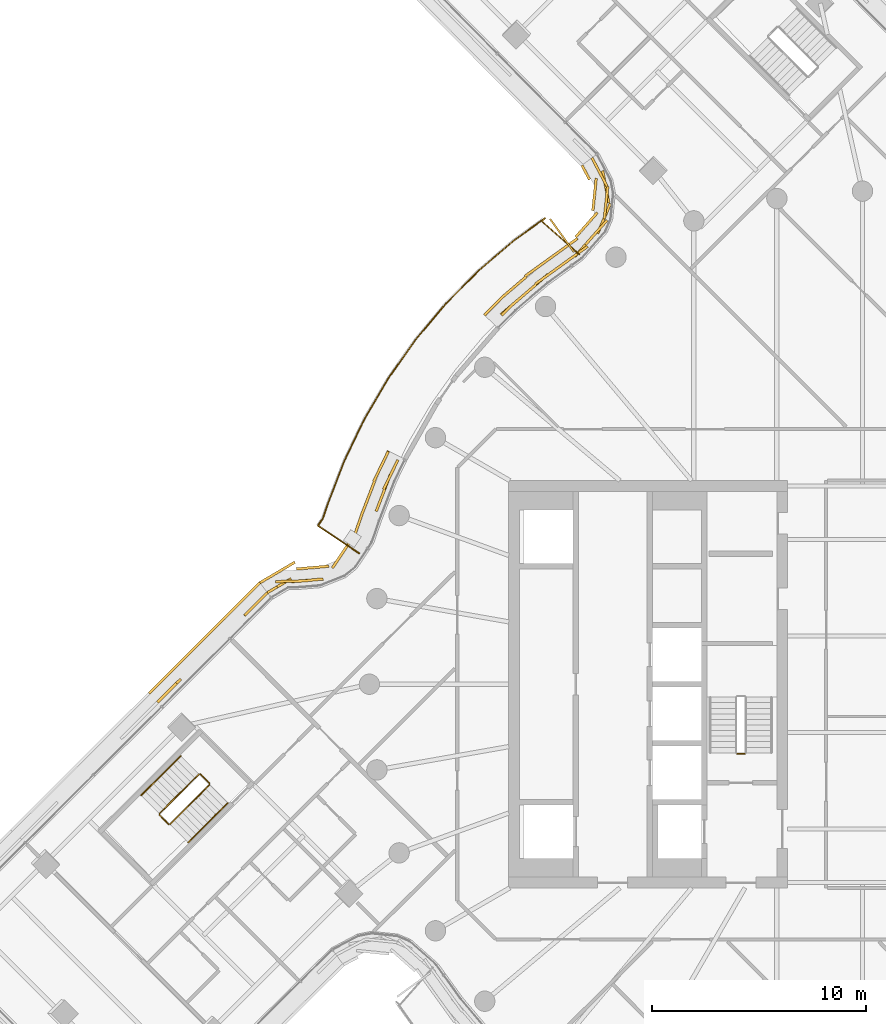
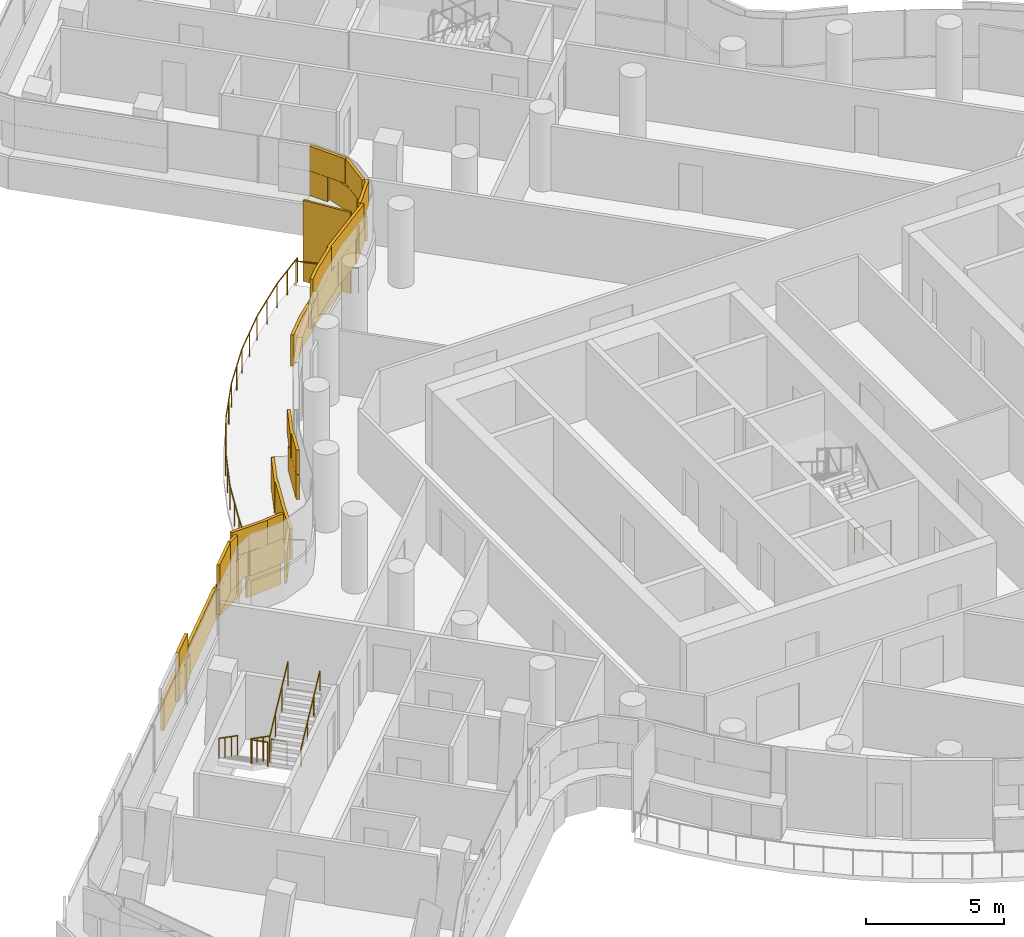
# One storey, part 27 of 31: 8 railings, 3 coverings, 1 shading device.
"""IFC4 building model written with IfcOpenShell, lengths in metres."""

from ifc_helpers import new_model, si_unit, direction, frame, origin, origin_2d, place, context, subcontext, project, spatial, rectangle, circle, extrude, material, layer, layer_set, type_object, element, save


model = new_model("IFC4")

# Units and contexts
model_context = context("Model", 3, precision=1e-05, world=origin(), true_north=direction((0.0, 1.0)))
body_context = subcontext(model_context, "Body", "Model", "MODEL_VIEW")
ifc_project = project(units=[si_unit("LENGTHUNIT", "METRE"), si_unit("AREAUNIT", "SQUARE_METRE"), si_unit("VOLUMEUNIT", "CUBIC_METRE"), si_unit("PLANEANGLEUNIT", "RADIAN"), si_unit("MASSUNIT", "GRAM", prefix="KILO")], contexts=[model_context])

# Site, building, storey
site_placement = place(None, origin())
site = spatial("IfcSite", under=ifc_project, at=site_placement, CompositionType="ELEMENT")
building_placement = place(site_placement, origin())
building = spatial("IfcBuilding", under=site, at=building_placement, Name="Tamarind Cross Interchange Tower", CompositionType="ELEMENT")
storey_placement = place(building_placement, frame((0.0, 0.0, 196.89990234375)))
storey = spatial("IfcBuildingStorey", under=building, at=storey_placement, Name="L49", CompositionType="ELEMENT", Elevation=196.89990234375)

# Railing
ifc_material_1 = material(Name="Stainless steel and laminated glass", Category="steel")
railing_type_1 = type_object("IfcRailingType", Name="Balcony guard", PredefinedType="BALUSTRADE", material=ifc_material_1)
railing_1_placement = place(storey_placement, frame((-13.2080078125, 20.047119140625, 0.0)))
element("IfcRailing", 1, at=railing_1_placement, inside=storey, type_object=railing_type_1, Name="Balcony guard 06", PredefinedType="BALUSTRADE", context=body_context, shape_type="SweptSolid", body=[
    extrude(circle(Radius=0.02490234375, at=origin_2d()), frame((0.0, 0.0, 1.0751953125), z_axis=(-0.748638917809, 0.662977956452, 0.0), x_axis=(-0.662977956452, -0.748638917809, 0.0)), (0.0, 0.0, 1.0), 2.320068359375),
    extrude(circle(Radius=0.02490234375, at=origin_2d()), frame((-1.73681640625, 1.5380859375, 1.0751953125), z_axis=(0.662774567608, 0.748818985157, 0.0), x_axis=(-0.748818985157, 0.662774567608, 0.0)), (0.0, 0.0, 1.0), 0.2099609375),
    extrude(circle(Radius=0.02490234375, at=origin_2d()), frame((-1.59765625, 1.6953125, 1.0751953125), z_axis=(-0.811324196085, -0.584596483779, 0.0), x_axis=(0.584596483779, -0.811324196085, 0.0)), (0.0, 0.0, 1.0), 1.785400390625),
    extrude(circle(Radius=0.02490234375, at=origin_2d()), frame((-3.046142578125, 0.651611328125, 1.0751953125), z_axis=(-0.760277812684, -0.649598066146, 0.0), x_axis=(0.649598066146, -0.760277812684, 0.0)), (0.0, 0.0, 1.0), 2.175048828125),
    extrude(circle(Radius=0.02490234375, at=origin_2d()), frame((-4.69970703125, -0.76123046875, 1.0751953125), z_axis=(-0.704069857635, -0.710130717242, 0.0), x_axis=(0.710130717242, -0.704069857635, 0.0)), (0.0, 0.0, 1.0), 2.17529296875),
    extrude(circle(Radius=0.02490234375, at=origin_2d()), frame((-6.231201171875, -2.305908203125, 1.0751953125), z_axis=(-0.642984125922, -0.765879503455, 0.0), x_axis=(0.765879503455, -0.642984125922, 0.0)), (0.0, 0.0, 1.0), 2.17529296875),
    extrude(circle(Radius=0.02490234375, at=origin_2d()), frame((-7.6298828125, -3.971923828125, 1.0751953125), z_axis=(-0.577590617379, -0.81632657602, 0.0), x_axis=(0.81632657602, -0.577590617379, 0.0)), (0.0, 0.0, 1.0), 2.175048828125),
    extrude(circle(Radius=0.02490234375, at=origin_2d()), frame((-8.88623046875, -5.74755859375, 1.0751953125), z_axis=(-0.508226290333, -0.861223570169, 0.0), x_axis=(0.861223570169, -0.508226290333, 0.0)), (0.0, 0.0, 1.0), 2.175048828125),
    extrude(circle(Radius=0.02490234375, at=origin_2d()), frame((-9.99169921875, -7.620849609375, 1.0751953125), z_axis=(-0.435276325285, -0.90029690694, 0.0), x_axis=(0.90029690694, -0.435276325285, 0.0)), (0.0, 0.0, 1.0), 2.175048828125),
    extrude(circle(Radius=0.02490234375, at=origin_2d()), frame((-10.9384765625, -9.5791015625, 1.0751953125), z_axis=(-0.359511290045, -0.933140735543, 0.0), x_axis=(0.933140735543, -0.359511290045, 0.0)), (0.0, 0.0, 1.0), 2.120849609375),
    extrude(circle(Radius=0.02490234375, at=origin_2d()), frame((-11.700927734375, -11.55810546875, 1.0751953125), z_axis=(-0.325905323568, -0.945402411711, 0.0), x_axis=(0.945402411711, -0.325905323568, 0.0)), (0.0, 0.0, 1.0), 0.793212890625),
    extrude(circle(Radius=0.02490234375, at=origin_2d()), frame((-11.95947265625, -12.30810546875, 1.0751953125), z_axis=(-0.556591623042, -0.83078623313, 0.0), x_axis=(0.83078623313, -0.556591623042, 0.0)), (0.0, 0.0, 1.0), 0.416748046875),
    extrude(circle(Radius=0.02490234375, at=origin_2d()), frame((-12.19140625, -12.654296875, 1.0751953125), z_axis=(0.830720338953, -0.556689966184, 0.0), x_axis=(0.556689966184, 0.830720338953, 0.0)), (0.0, 0.0, 1.0), 2.320068359375),
    extrude(circle(Radius=0.02001953125, at=origin_2d()), origin(), (0.0, 0.0, 1.0), 1.050048828125),
    extrude(circle(Radius=0.02001953125, at=origin_2d()), frame((-0.868408203125, 0.76904296875, 0.0)), (0.0, 0.0, 1.0), 1.050048828125),
    extrude(circle(Radius=0.02001953125, at=origin_2d()), frame((-1.73681640625, 1.5380859375, 0.0)), (0.0, 0.0, 1.0), 1.050048828125),
    extrude(circle(Radius=0.02001953125, at=origin_2d()), frame((-1.59765625, 1.6953125, 0.0)), (0.0, 0.0, 1.0), 1.050048828125),
    extrude(circle(Radius=0.02001953125, at=origin_2d()), frame((-2.32177734375, 1.17333984375, 0.0)), (0.0, 0.0, 1.0), 1.050048828125),
    extrude(circle(Radius=0.02001953125, at=origin_2d()), frame((-3.046142578125, 0.651611328125, 0.0)), (0.0, 0.0, 1.0), 1.050048828125),
    extrude(circle(Radius=0.02001953125, at=origin_2d()), frame((-3.873046875, -0.0546875, 0.0)), (0.0, 0.0, 1.0), 1.050048828125),
    extrude(circle(Radius=0.02001953125, at=origin_2d()), frame((-4.69970703125, -0.76123046875, 0.0)), (0.0, 0.0, 1.0), 1.050048828125),
    extrude(circle(Radius=0.02001953125, at=origin_2d()), frame((-5.46533203125, -1.53369140625, 0.0)), (0.0, 0.0, 1.0), 1.050048828125),
    extrude(circle(Radius=0.02001953125, at=origin_2d()), frame((-6.231201171875, -2.305908203125, 0.0)), (0.0, 0.0, 1.0), 1.050048828125),
    extrude(circle(Radius=0.02001953125, at=origin_2d()), frame((-6.9306640625, -3.138916015625, 0.0)), (0.0, 0.0, 1.0), 1.050048828125),
    extrude(circle(Radius=0.02001953125, at=origin_2d()), frame((-7.6298828125, -3.971923828125, 0.0)), (0.0, 0.0, 1.0), 1.050048828125),
    extrude(circle(Radius=0.02001953125, at=origin_2d()), frame((-8.258056640625, -4.85986328125, 0.0)), (0.0, 0.0, 1.0), 1.050048828125),
    extrude(circle(Radius=0.02001953125, at=origin_2d()), frame((-8.88623046875, -5.74755859375, 0.0)), (0.0, 0.0, 1.0), 1.050048828125),
    extrude(circle(Radius=0.02001953125, at=origin_2d()), frame((-9.43896484375, -6.68408203125, 0.0)), (0.0, 0.0, 1.0), 1.050048828125),
    extrude(circle(Radius=0.02001953125, at=origin_2d()), frame((-9.99169921875, -7.620849609375, 0.0)), (0.0, 0.0, 1.0), 1.050048828125),
    extrude(circle(Radius=0.02001953125, at=origin_2d()), frame((-10.465087890625, -8.60009765625, 0.0)), (0.0, 0.0, 1.0), 1.050048828125),
    extrude(circle(Radius=0.02001953125, at=origin_2d()), frame((-10.9384765625, -9.5791015625, 0.0)), (0.0, 0.0, 1.0), 1.050048828125),
    extrude(circle(Radius=0.02001953125, at=origin_2d()), frame((-11.31982421875, -10.568603515625, 0.0)), (0.0, 0.0, 1.0), 1.050048828125),
    extrude(circle(Radius=0.02001953125, at=origin_2d()), frame((-11.700927734375, -11.55810546875, 0.0)), (0.0, 0.0, 1.0), 1.050048828125),
    extrude(circle(Radius=0.02001953125, at=origin_2d()), frame((-11.95947265625, -12.30810546875, 0.0)), (0.0, 0.0, 1.0), 1.050048828125),
    extrude(circle(Radius=0.02001953125, at=origin_2d()), frame((-12.19140625, -12.654296875, 0.0)), (0.0, 0.0, 1.0), 1.050048828125),
    extrude(circle(Radius=0.02001953125, at=origin_2d()), frame((-11.227783203125, -13.300048828125, 0.0)), (0.0, 0.0, 1.0), 1.050048828125),
    extrude(circle(Radius=0.02001953125, at=origin_2d()), frame((-10.26416015625, -13.94580078125, 0.0)), (0.0, 0.0, 1.0), 1.050048828125),
])

# Shading device
ifc_material_2 = material(Name="Bronze-finish aluminium louvre", Category="aluminium")
ifc_layer_1 = layer(ifc_material_2, 0.080078125)
ifc_layer_set_1 = layer_set([ifc_layer_1], Name="Bronze-finish aluminium louvre")
shading_device_type = type_object("IfcShadingDeviceType", Name="Operable louvre bay", PredefinedType="JALOUSIE", material=ifc_layer_set_1)
shading_device_placement = place(storey_placement, origin())
element("IfcShadingDevice", 2, at=shading_device_placement, inside=storey, type_object=shading_device_type, Name="LVR-L49-BAL06", PredefinedType="JALOUSIE", context=body_context, shape_type="SweptSolid", body=[
    extrude(rectangle(XDim=1.89990234375, YDim=0.080078125, at=origin_2d()), frame((-14.01611328125, 20.930908203125, 0.0), z_axis=(0.0, 0.0, 1.0), x_axis=(-0.584638009293, 0.811294273423, 0.0)), (0.0, 0.0, 1.0), 3.60009765625),
])

# Railings
ifc_material_3 = material(Name="Stair guard")
railing_type_2 = type_object("IfcRailingType", Name="Stair guard", PredefinedType="GUARDRAIL", material=ifc_material_3)
railing_2_placement = place(storey_placement, frame((-5.5, -3.25, 0.0)))
element("IfcRailing", 3, at=railing_2_placement, inside=storey, type_object=railing_type_2, Name="L49 ST1 stair guard 4", PredefinedType="GUARDRAIL", context=body_context, shape_type="SweptSolid", body=[
    extrude(circle(Radius=0.02392578125, at=origin_2d()), frame((0.0, 0.0, 1.076171875), z_axis=(-1.0, 0.0, 0.0), x_axis=(0.0, -1.0, 0.0)), (0.0, 0.0, 1.0), 0.35009765625),
    extrude(circle(Radius=0.02099609375, at=origin_2d()), origin(), (0.0, 0.0, 1.0), 1.052001953125),
    extrude(circle(Radius=0.02099609375, at=origin_2d()), frame((-0.35009765625, 0.0, 0.0)), (0.0, 0.0, 1.0), 1.052001953125),
])
railing_3_placement = place(storey_placement, frame((-30.9501953125, -4.19580078125, 0.163818359375)))
element("IfcRailing", 4, at=railing_3_placement, inside=storey, type_object=railing_type_2, Name="L49 ST5 stair guard 1", PredefinedType="GUARDRAIL", context=body_context, shape_type="SweptSolid", body=[
    extrude(circle(Radius=0.02392578125, at=origin_2d()), frame((0.0, 0.0, 1.076171875), z_axis=(-0.599217470128, -0.59770750568, 0.532620090822), x_axis=(0.70621417827, -0.707998258763, 0.0)), (0.0, 0.0, 1.0), 3.072021484375),
    extrude(circle(Radius=0.02099609375, at=origin_2d()), origin(), (0.0, 0.0, 1.0), 1.052001953125),
    extrude(circle(Radius=0.02099609375, at=origin_2d()), frame((-0.613525390625, -0.612060546875, 0.54541015625)), (0.0, 0.0, 1.0), 1.052001953125),
    extrude(circle(Radius=0.02099609375, at=origin_2d()), frame((-1.227294921875, -1.22412109375, 1.0908203125)), (0.0, 0.0, 1.0), 1.052001953125),
    extrude(circle(Radius=0.02099609375, at=origin_2d()), frame((-1.8408203125, -1.836181640625, 1.63623046875)), (0.0, 0.0, 1.0), 1.052001953125),
])
railing_4_placement = place(storey_placement, frame((-32.791259765625, -6.1025390625, 1.800048828125)))
element("IfcRailing", 5, at=railing_4_placement, inside=storey, type_object=railing_type_2, Name="L49 ST5 stair guard 2", PredefinedType="GUARDRAIL", context=body_context, shape_type="SweptSolid", body=[
    extrude(circle(Radius=0.02392578125, at=origin_2d()), frame((0.0, 0.0, 1.076171875), z_axis=(0.706292611839, -0.70792001417, 0.0), x_axis=(0.70792001417, 0.706292611839, 0.0)), (0.0, 0.0, 1.0), 0.60009765625),
    extrude(circle(Radius=0.02099609375, at=origin_2d()), origin(), (0.0, 0.0, 1.0), 1.052001953125),
    extrude(circle(Radius=0.02099609375, at=origin_2d()), frame((0.423828125, -0.4248046875, 0.0)), (0.0, 0.0, 1.0), 1.052001953125),
])
railing_5_placement = place(storey_placement, frame((-32.296875, -6.527587890625, 1.963623046875)))
element("IfcRailing", 6, at=railing_5_placement, inside=storey, type_object=railing_type_2, Name="L49 ST5 stair guard 3", PredefinedType="GUARDRAIL", context=body_context, shape_type="SweptSolid", body=[
    extrude(circle(Radius=0.02392578125, at=origin_2d()), frame((0.0, 0.0, 1.076171875), z_axis=(0.599192105999, 0.597682205466, 0.532677014126), x_axis=(-0.70621417827, 0.707998258763, 0.0)), (0.0, 0.0, 1.0), 3.072265625),
    extrude(circle(Radius=0.02099609375, at=origin_2d()), origin(), (0.0, 0.0, 1.0), 1.052001953125),
    extrude(circle(Radius=0.02099609375, at=origin_2d()), frame((0.613525390625, 0.612060546875, 0.54541015625)), (0.0, 0.0, 1.0), 1.052001953125),
    extrude(circle(Radius=0.02099609375, at=origin_2d()), frame((1.227294921875, 1.22412109375, 1.091064453125)), (0.0, 0.0, 1.0), 1.052001953125),
    extrude(circle(Radius=0.02099609375, at=origin_2d()), frame((1.8408203125, 1.836181640625, 1.636474609375)), (0.0, 0.0, 1.0), 1.052001953125),
])
railing_6_placement = place(storey_placement, frame((-30.879638671875, -4.19580078125, 0.0)))
element("IfcRailing", 7, at=railing_6_placement, inside=storey, type_object=railing_type_2, Name="L49 ST5 stair guard 4", PredefinedType="GUARDRAIL", context=body_context, shape_type="SweptSolid", body=[
    extrude(circle(Radius=0.02392578125, at=origin_2d()), frame((0.0, 0.0, 1.076171875), z_axis=(0.706292611839, -0.70792001417, 0.0), x_axis=(0.70792001417, 0.706292611839, 0.0)), (0.0, 0.0, 1.0), 0.60009765625),
    extrude(circle(Radius=0.02099609375, at=origin_2d()), origin(), (0.0, 0.0, 1.0), 1.052001953125),
    extrude(circle(Radius=0.02099609375, at=origin_2d()), frame((0.423828125, -0.4248046875, 0.0)), (0.0, 0.0, 1.0), 1.052001953125),
])
ifc_material_4 = material(Name="Stair handrail")
railing_type_3 = type_object("IfcRailingType", Name="Stair handrail", PredefinedType="HANDRAIL", material=ifc_material_4)
railing_7_placement = place(storey_placement, frame((-31.7978515625, -3.34619140625, 0.163818359375)))
element("IfcRailing", 8, at=railing_7_placement, inside=storey, type_object=railing_type_3, Name="L49 ST5 stair handrail 1", PredefinedType="HANDRAIL", context=body_context, shape_type="SweptSolid", body=[
    extrude(circle(Radius=0.02392578125, at=origin_2d()), frame((0.0, 0.0, 0.8759765625), z_axis=(-0.599217470128, -0.59770750568, 0.532620090822), x_axis=(0.70621417827, -0.707998258763, 0.0)), (0.0, 0.0, 1.0), 3.072021484375),
    extrude(circle(Radius=0.02099609375, at=origin_2d()), origin(), (0.0, 0.0, 1.0), 0.851806640625),
    extrude(circle(Radius=0.02099609375, at=origin_2d()), frame((-0.613525390625, -0.612060546875, 0.54541015625)), (0.0, 0.0, 1.0), 0.851806640625),
    extrude(circle(Radius=0.02099609375, at=origin_2d()), frame((-1.227294921875, -1.22412109375, 1.0908203125)), (0.0, 0.0, 1.0), 0.851806640625),
    extrude(circle(Radius=0.02099609375, at=origin_2d()), frame((-1.8408203125, -1.836181640625, 1.63623046875)), (0.0, 0.0, 1.0), 0.851806640625),
])
railing_8_placement = place(storey_placement, frame((-31.449462890625, -7.377197265625, 1.963623046875)))
element("IfcRailing", 9, at=railing_8_placement, inside=storey, type_object=railing_type_3, Name="L49 ST5 stair handrail 2", PredefinedType="HANDRAIL", context=body_context, shape_type="SweptSolid", body=[
    extrude(circle(Radius=0.02392578125, at=origin_2d()), frame((0.0, 0.0, 0.8759765625), z_axis=(0.599192105999, 0.597682205466, 0.532677014126), x_axis=(-0.70621417827, 0.707998258763, 0.0)), (0.0, 0.0, 1.0), 3.072265625),
    extrude(circle(Radius=0.02099609375, at=origin_2d()), origin(), (0.0, 0.0, 1.0), 0.851806640625),
    extrude(circle(Radius=0.02099609375, at=origin_2d()), frame((0.613525390625, 0.612060546875, 0.54541015625)), (0.0, 0.0, 1.0), 0.851806640625),
    extrude(circle(Radius=0.02099609375, at=origin_2d()), frame((1.227294921875, 1.22412109375, 1.091064453125)), (0.0, 0.0, 1.0), 0.851806640625),
    extrude(circle(Radius=0.02099609375, at=origin_2d()), frame((1.8408203125, 1.836181640625, 1.636474609375)), (0.0, 0.0, 1.0), 0.851806640625),
])

# Coverings
ifc_material_5 = material(Name="Terracotta", Category="masonry")
ifc_layer_2 = layer(ifc_material_5, 0.1201171875)
ifc_layer_set_2 = layer_set([ifc_layer_2], Name="Terracotta")
covering_type = type_object("IfcCoveringType", Name="Terracotta baguette screen unit", PredefinedType="MOLDING", material=ifc_layer_set_2)
covering_1_placement = place(storey_placement, origin())
element("IfcCovering", 10, at=covering_1_placement, inside=storey, type_object=covering_type, Name="SCR-L49-06-00", PredefinedType="MOLDING", context=body_context, shape_type="SweptSolid", body=[
    extrude(rectangle(XDim=0.760009765625, YDim=0.1201171875, at=origin_2d()), frame((-12.4443359375, 24.220703125, 1.404296875), z_axis=(0.0, 0.0, 1.0), x_axis=(0.468931842788, -0.883234355548, 0.0)), (0.0, 0.0, 1.0), 1.092041015625),
    extrude(rectangle(XDim=1.52001953125, YDim=0.1201171875, at=origin_2d()), frame((-11.978759765625, 23.205078125, 1.404296875), z_axis=(0.0, 0.0, 1.0), x_axis=(0.190870071313, -0.981615309516, 0.0)), (0.0, 0.0, 1.0), 1.092041015625),
    extrude(rectangle(XDim=1.52001953125, YDim=0.1201171875, at=origin_2d()), frame((-12.0546875, 21.72119140625, 1.404296875), z_axis=(0.0, 0.0, 1.0), x_axis=(-0.389433748572, -0.921054480187, 0.0)), (0.0, 0.0, 1.0), 1.092041015625),
    extrude(rectangle(XDim=1.52001953125, YDim=0.1201171875, at=origin_2d()), frame((-12.915283203125, 20.513671875, 1.404296875), z_axis=(0.0, 0.0, 1.0), x_axis=(-0.662981274254, -0.748635979625, 0.0)), (0.0, 0.0, 1.0), 1.092041015625),
    extrude(rectangle(XDim=1.52001953125, YDim=0.1201171875, at=origin_2d()), frame((-14.0458984375, 19.541259765625, 1.404296875), z_axis=(0.0, 0.0, 1.0), x_axis=(-0.811294273423, -0.584638009293, 0.0)), (0.0, 0.0, 1.0), 1.092041015625),
    extrude(rectangle(XDim=1.52001953125, YDim=0.1201171875, at=origin_2d()), frame((-15.238525390625, 18.63330078125, 1.404296875), z_axis=(0.0, 0.0, 1.0), x_axis=(-0.760295606781, -0.64957723968, 0.0)), (0.0, 0.0, 1.0), 1.092041015625),
    extrude(rectangle(XDim=1.403564453125, YDim=0.1201171875, at=origin_2d()), frame((-16.33837890625, 17.693603515625, 1.404296875), z_axis=(0.0, 0.0, 1.0), x_axis=(-0.760295606781, -0.64957723968, 0.0)), (0.0, 0.0, 1.0), 1.092041015625),
    extrude(rectangle(XDim=1.510009765625, YDim=0.1201171875, at=origin_2d()), frame((-12.2685546875, 23.889404296875, 2.50390625), z_axis=(0.0, 0.0, 1.0), x_axis=(0.468931842788, -0.883234355548, 0.0)), (0.0, 0.0, 1.0), 1.092041015625),
    extrude(rectangle(XDim=1.52001953125, YDim=0.1201171875, at=origin_2d()), frame((-11.962158203125, 22.46337890625, 2.50390625), z_axis=(0.0, 0.0, 1.0), x_axis=(-0.10379685446, -0.994598518501, 0.0)), (0.0, 0.0, 1.0), 1.092041015625),
    extrude(rectangle(XDim=1.52001953125, YDim=0.1201171875, at=origin_2d()), frame((-12.41796875, 21.0751953125, 2.50390625), z_axis=(0.0, 0.0, 1.0), x_axis=(-0.662981274254, -0.748635979625, 0.0)), (0.0, 0.0, 1.0), 1.092041015625),
    extrude(rectangle(XDim=1.52001953125, YDim=0.1201171875, at=origin_2d()), frame((-13.4375, 19.979736328125, 2.50390625), z_axis=(0.0, 0.0, 1.0), x_axis=(-0.811294273423, -0.584638009293, 0.0)), (0.0, 0.0, 1.0), 1.092041015625),
    extrude(rectangle(XDim=1.52001953125, YDim=0.1201171875, at=origin_2d()), frame((-14.654296875, 19.102783203125, 2.50390625), z_axis=(0.0, 0.0, 1.0), x_axis=(-0.811294273423, -0.584638009293, 0.0)), (0.0, 0.0, 1.0), 1.092041015625),
    extrude(rectangle(XDim=1.52001953125, YDim=0.1201171875, at=origin_2d()), frame((-15.80859375, 18.146240234375, 2.50390625), z_axis=(0.0, 0.0, 1.0), x_axis=(-0.760295606781, -0.64957723968, 0.0)), (0.0, 0.0, 1.0), 1.092041015625),
    extrude(rectangle(XDim=0.653564453125, YDim=0.1201171875, at=origin_2d()), frame((-16.606201171875, 17.431396484375, 2.50390625), z_axis=(0.0, 0.0, 1.0), x_axis=(-0.704057148523, -0.710143317658, 0.0)), (0.0, 0.0, 1.0), 1.092041015625),
    extrude(rectangle(XDim=0.760009765625, YDim=0.1201171875, at=origin_2d()), frame((-12.909423828125, 23.87255859375, 0.004150390625), z_axis=(0.0, 0.0, 1.0), x_axis=(0.468931842788, -0.883234355548, 0.0)), (0.0, 0.0, 1.0), 1.39208984375),
    extrude(rectangle(XDim=1.52001953125, YDim=0.1201171875, at=origin_2d()), frame((-12.49951171875, 22.84423828125, 0.004150390625), z_axis=(0.0, 0.0, 1.0), x_axis=(-0.10379685446, -0.994598518501, 0.0)), (0.0, 0.0, 1.0), 1.39208984375),
    extrude(rectangle(XDim=1.52001953125, YDim=0.1201171875, at=origin_2d()), frame((-12.87158203125, 21.4287109375, 0.004150390625), z_axis=(0.0, 0.0, 1.0), x_axis=(-0.662981274254, -0.748635979625, 0.0)), (0.0, 0.0, 1.0), 1.39208984375),
    extrude(rectangle(XDim=1.52001953125, YDim=0.1201171875, at=origin_2d()), frame((-13.90576171875, 20.349853515625, 0.004150390625), z_axis=(0.0, 0.0, 1.0), x_axis=(-0.811294273423, -0.584638009293, 0.0)), (0.0, 0.0, 1.0), 1.39208984375),
    extrude(rectangle(XDim=1.52001953125, YDim=0.1201171875, at=origin_2d()), frame((-15.122802734375, 19.472900390625, 0.004150390625), z_axis=(0.0, 0.0, 1.0), x_axis=(-0.811294273423, -0.584638009293, 0.0)), (0.0, 0.0, 1.0), 1.39208984375),
    extrude(rectangle(XDim=1.52001953125, YDim=0.1201171875, at=origin_2d()), frame((-16.27001953125, 18.507080078125, 0.004150390625), z_axis=(0.0, 0.0, 1.0), x_axis=(-0.760295606781, -0.64957723968, 0.0)), (0.0, 0.0, 1.0), 1.39208984375),
    extrude(rectangle(XDim=1.13671875, YDim=0.1201171875, at=origin_2d()), frame((-17.228759765625, 17.61865234375, 0.004150390625), z_axis=(0.0, 0.0, 1.0), x_axis=(-0.704057148523, -0.710143317658, 0.0)), (0.0, 0.0, 1.0), 1.39208984375),
    extrude(rectangle(XDim=0.03076171875, YDim=0.1201171875, at=origin_2d()), frame((-22.115966796875, 10.86328125, 0.004150390625), z_axis=(0.0, 0.0, 1.0), x_axis=(-0.435326231914, -0.900272776334, 0.0)), (0.0, 0.0, 1.0), 1.39208984375),
])
covering_2_placement = place(storey_placement, origin())
element("IfcCovering", 11, at=covering_2_placement, inside=storey, type_object=covering_type, Name="SCR-L49-06-01", PredefinedType="MOLDING", context=body_context, shape_type="SweptSolid", body=[
    extrude(rectangle(XDim=1.52001953125, YDim=0.1201171875, at=origin_2d()), frame((-22.290283203125, 9.082763671875, 1.404296875), z_axis=(0.0, 0.0, 1.0), x_axis=(-0.359495435512, -0.933146843667, 0.0)), (0.0, 0.0, 1.0), 1.092041015625),
    extrude(rectangle(XDim=0.341796875, YDim=0.1201171875, at=origin_2d()), frame((-22.61962890625, 8.228271484375, 1.404296875), z_axis=(0.0, 0.0, 1.0), x_axis=(-0.359495435512, -0.933146843667, 0.0)), (0.0, 0.0, 1.0), 1.092041015625),
    extrude(rectangle(XDim=1.47802734375, YDim=0.1201171875, at=origin_2d()), frame((-25.88916015625, 4.8447265625, 1.404296875), z_axis=(0.0, 0.0, 1.0), x_axis=(-0.996390886225, -0.084883460386, 0.0)), (0.0, 0.0, 1.0), 1.092041015625),
    extrude(rectangle(XDim=1.28564453125, YDim=0.1201171875, at=origin_2d()), frame((-27.205078125, 4.59765625, 1.404296875), z_axis=(0.0, 0.0, 1.0), x_axis=(-0.861729443481, -0.50736807767, 0.0)), (0.0, 0.0, 1.0), 1.092041015625),
    extrude(rectangle(XDim=1.52001953125, YDim=0.1201171875, at=origin_2d()), frame((-22.00439453125, 9.775634765625, 2.50390625), z_axis=(0.0, 0.0, 1.0), x_axis=(-0.435326231914, -0.900272776334, 0.0)), (0.0, 0.0, 1.0), 1.092041015625),
    extrude(rectangle(XDim=1.091796875, YDim=0.1201171875, at=origin_2d()), frame((-22.48486328125, 8.578125, 2.50390625), z_axis=(0.0, 0.0, 1.0), x_axis=(-0.359495435512, -0.933146843667, 0.0)), (0.0, 0.0, 1.0), 1.092041015625),
    extrude(rectangle(XDim=0.72802734375, YDim=0.1201171875, at=origin_2d()), frame((-25.515625, 4.87646484375, 2.50390625), z_axis=(0.0, 0.0, 1.0), x_axis=(-0.996390886225, -0.084883460386, 0.0)), (0.0, 0.0, 1.0), 1.092041015625),
    extrude(rectangle(XDim=1.52001953125, YDim=0.1201171875, at=origin_2d()), frame((-26.621826171875, 4.804443359375, 2.50390625), z_axis=(0.0, 0.0, 1.0), x_axis=(-0.999603640312, -0.028152482558, 0.0)), (0.0, 0.0, 1.0), 1.092041015625),
    extrude(rectangle(XDim=0.53564453125, YDim=0.1201171875, at=origin_2d()), frame((-27.5283203125, 4.4072265625, 2.50390625), z_axis=(0.0, 0.0, 1.0), x_axis=(-0.861729443481, -0.50736807767, 0.0)), (0.0, 0.0, 1.0), 1.092041015625),
    extrude(rectangle(XDim=0.053955078125, YDim=0.1201171875, at=origin_2d()), frame((-22.134521484375, 10.824951171875, 0.004150390625), z_axis=(0.0, 0.0, 1.0), x_axis=(-0.435326231914, -0.900272776334, 0.0)), (0.0, 0.0, 1.0), 1.39208984375),
    extrude(rectangle(XDim=1.52001953125, YDim=0.1201171875, at=origin_2d()), frame((-22.46826171875, 10.134521484375, 0.004150390625), z_axis=(0.0, 0.0, 1.0), x_axis=(-0.435326231914, -0.900272776334, 0.0)), (0.0, 0.0, 1.0), 1.39208984375),
    extrude(rectangle(XDim=1.52001953125, YDim=0.1201171875, at=origin_2d()), frame((-23.03515625, 8.74658203125, 0.004150390625), z_axis=(0.0, 0.0, 1.0), x_axis=(-0.359495435512, -0.933146843667, 0.0)), (0.0, 0.0, 1.0), 1.39208984375),
    extrude(rectangle(XDim=1.52001953125, YDim=0.1201171875, at=origin_2d()), frame((-23.553466796875, 7.33935546875, 0.004150390625), z_axis=(0.0, 0.0, 1.0), x_axis=(-0.325777164982, -0.945446581662, 0.0)), (0.0, 0.0, 1.0), 1.39208984375),
    extrude(rectangle(XDim=1.52001953125, YDim=0.1201171875, at=origin_2d()), frame((-24.3046875, 6.051513671875, 0.004150390625), z_axis=(0.0, 0.0, 1.0), x_axis=(-0.556702458632, -0.830711967262, 0.0)), (0.0, 0.0, 1.0), 1.39208984375),
    extrude(rectangle(XDim=1.52001953125, YDim=0.1201171875, at=origin_2d()), frame((-25.65087890625, 5.441162109375, 0.004150390625), z_axis=(0.0, 0.0, 1.0), x_axis=(-0.996390886225, -0.084883460386, 0.0)), (0.0, 0.0, 1.0), 1.39208984375),
    extrude(rectangle(XDim=1.52001953125, YDim=0.1201171875, at=origin_2d()), frame((-27.1318359375, 5.306640625, 0.004150390625), z_axis=(0.0, 0.0, 1.0), x_axis=(-0.861729443481, -0.50736807767, 0.0)), (0.0, 0.0, 1.0), 1.39208984375),
    extrude(rectangle(XDim=0.393310546875, YDim=0.1201171875, at=origin_2d()), frame((-27.939208984375, 4.83154296875, 0.004150390625), z_axis=(0.0, 0.0, 1.0), x_axis=(-0.861729443481, -0.50736807767, 0.0)), (0.0, 0.0, 1.0), 1.39208984375),
])
covering_3_placement = place(storey_placement, origin())
element("IfcCovering", 12, at=covering_3_placement, inside=storey, type_object=covering_type, Name="SCR-L49-07-00", PredefinedType="MOLDING", context=body_context, shape_type="SweptSolid", body=[
    extrude(rectangle(XDim=0.760009765625, YDim=0.1201171875, at=origin_2d()), frame((-28.020263671875, 4.009033203125, 1.404296875), z_axis=(0.0, 0.0, 1.0), x_axis=(-0.708014520272, -0.706197875304, 0.0)), (0.0, 0.0, 1.0), 1.092041015625),
    extrude(rectangle(XDim=0.7802734375, YDim=0.1201171875, at=origin_2d()), frame((-28.558349609375, 3.472412109375, 1.404296875), z_axis=(0.0, 0.0, 1.0), x_axis=(-0.708014520272, -0.706197875304, 0.0)), (0.0, 0.0, 1.0), 1.092041015625),
    extrude(rectangle(XDim=1.039794921875, YDim=0.1201171875, at=origin_2d()), frame((-32.169189453125, -0.129150390625, 1.404296875), z_axis=(0.0, 0.0, 1.0), x_axis=(-0.708014520272, -0.706197875304, 0.0)), (0.0, 0.0, 1.0), 1.092041015625),
    extrude(rectangle(XDim=0.50048828125, YDim=0.1201171875, at=origin_2d()), frame((-32.70751953125, -0.666015625, 1.404296875), z_axis=(0.0, 0.0, 1.0), x_axis=(-0.708014520272, -0.706197875304, 0.0)), (0.0, 0.0, 1.0), 1.092041015625),
    extrude(rectangle(XDim=1.510009765625, YDim=0.1201171875, at=origin_2d()), frame((-28.28564453125, 3.744384765625, 2.50390625), z_axis=(0.0, 0.0, 1.0), x_axis=(-0.708014520272, -0.706197875304, 0.0)), (0.0, 0.0, 1.0), 1.092041015625),
    extrude(rectangle(XDim=1.25048828125, YDim=0.1201171875, at=origin_2d()), frame((-32.44189453125, -0.401123046875, 2.50390625), z_axis=(0.0, 0.0, 1.0), x_axis=(-0.708014520272, -0.706197875304, 0.0)), (0.0, 0.0, 1.0), 1.092041015625),
    extrude(rectangle(XDim=0.760009765625, YDim=0.1201171875, at=origin_2d()), frame((-28.377685546875, 4.46337890625, 0.004150390625), z_axis=(0.0, 0.0, 1.0), x_axis=(-0.708014520272, -0.706197875304, 0.0)), (0.0, 0.0, 1.0), 1.39208984375),
    extrude(rectangle(XDim=1.52001953125, YDim=0.1201171875, at=origin_2d()), frame((-29.170654296875, 3.67236328125, 0.004150390625), z_axis=(0.0, 0.0, 1.0), x_axis=(-0.708014520272, -0.706197875304, 0.0)), (0.0, 0.0, 1.0), 1.39208984375),
    extrude(rectangle(XDim=1.52001953125, YDim=0.1201171875, at=origin_2d()), frame((-30.232666015625, 2.613037109375, 0.004150390625), z_axis=(0.0, 0.0, 1.0), x_axis=(-0.708014520272, -0.706197875304, 0.0)), (0.0, 0.0, 1.0), 1.39208984375),
    extrude(rectangle(XDim=1.52001953125, YDim=0.1201171875, at=origin_2d()), frame((-31.294677734375, 1.5537109375, 0.004150390625), z_axis=(0.0, 0.0, 1.0), x_axis=(-0.708014520272, -0.706197875304, 0.0)), (0.0, 0.0, 1.0), 1.39208984375),
    extrude(rectangle(XDim=1.52001953125, YDim=0.1201171875, at=origin_2d()), frame((-32.356689453125, 0.49462890625, 0.004150390625), z_axis=(0.0, 0.0, 1.0), x_axis=(-0.708014520272, -0.706197875304, 0.0)), (0.0, 0.0, 1.0), 1.39208984375),
    extrude(rectangle(XDim=0.552001953125, YDim=0.1201171875, at=origin_2d()), frame((-33.076171875, -0.222900390625, 0.004150390625), z_axis=(0.0, 0.0, 1.0), x_axis=(-0.708014520272, -0.706197875304, 0.0)), (0.0, 0.0, 1.0), 1.39208984375),
])

save(model, "model.ifc")
